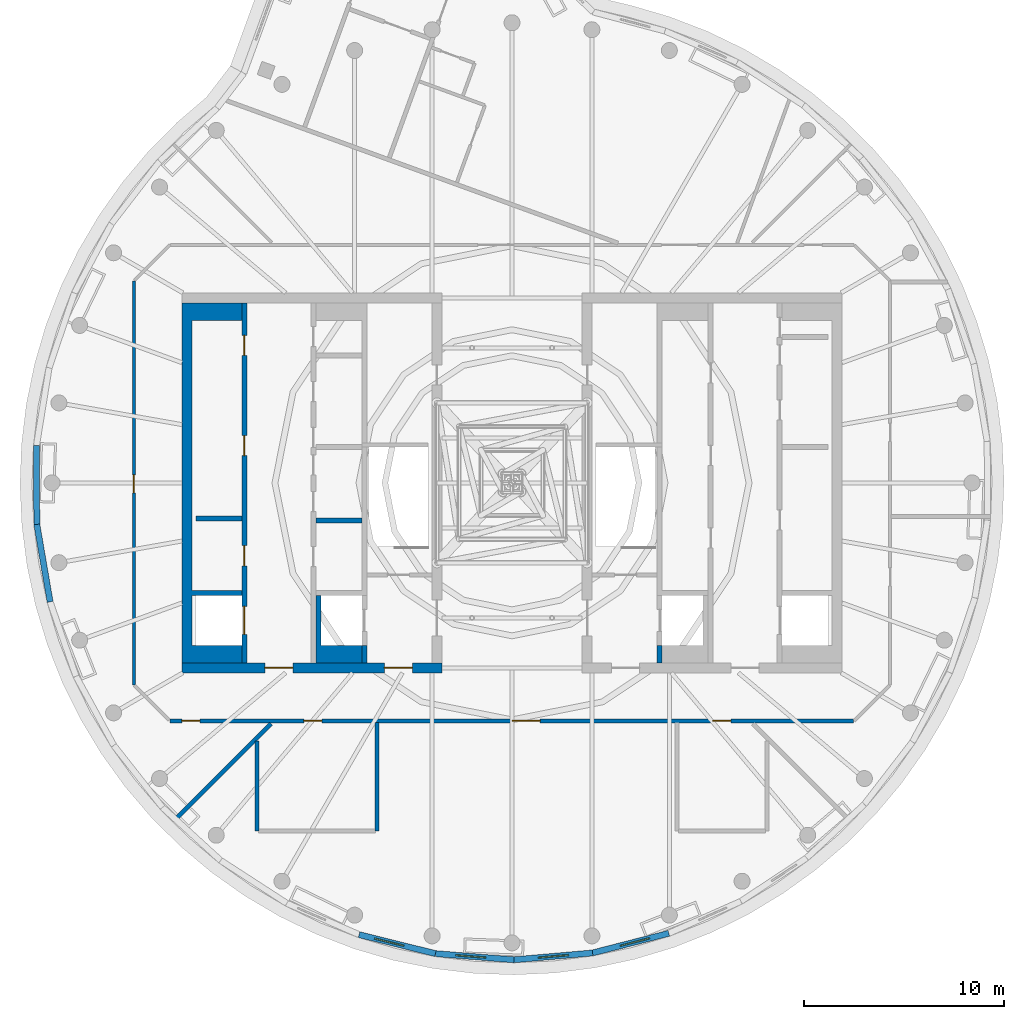
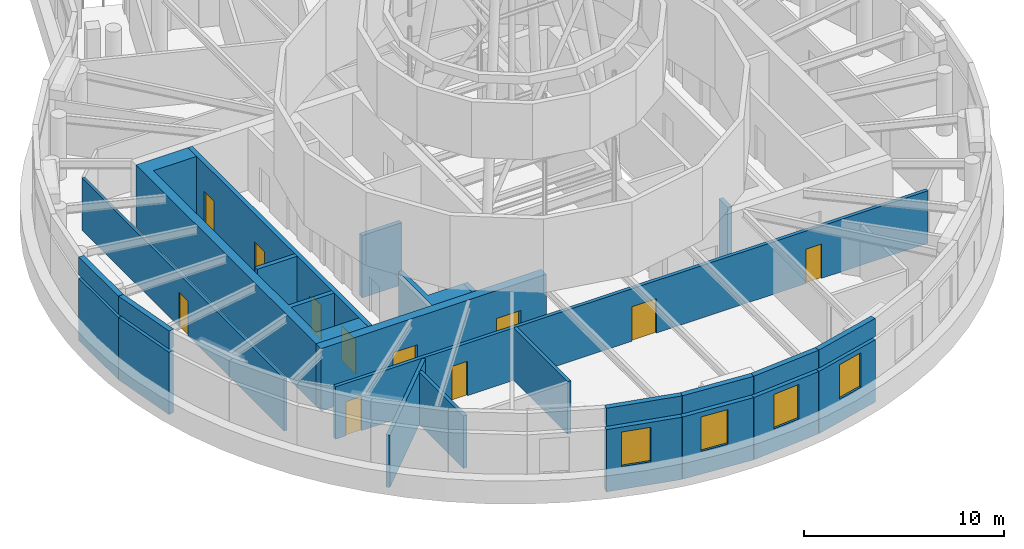
# One storey, part 11 of 17: 25 walls, 11 doors, 4 windows, 15 openings.
"""IFC4 building model written with IfcOpenShell, lengths in metres."""

from ifc_helpers import new_model, si_unit, direction, frame, frame_2d, origin, place, context, subcontext, project, spatial, polyline, rectangle, outline, extrude, material, layer, layer_set, type_object, element, fill, save


model = new_model("IFC4")

# Units and contexts
model_context = context("Model", 3, precision=1e-05, world=origin(), true_north=direction((0.0, 1.0)))
body_context = subcontext(model_context, "Body", "Model", "MODEL_VIEW")
ifc_project = project(units=[si_unit("LENGTHUNIT", "METRE"), si_unit("AREAUNIT", "SQUARE_METRE"), si_unit("VOLUMEUNIT", "CUBIC_METRE"), si_unit("PLANEANGLEUNIT", "RADIAN"), si_unit("MASSUNIT", "GRAM", prefix="KILO")], contexts=[model_context])

# Site, building, storey
site_placement = place(None, origin())
site = spatial("IfcSite", under=ifc_project, at=site_placement, CompositionType="ELEMENT")
building_placement = place(site_placement, origin())
building = spatial("IfcBuilding", under=site, at=building_placement, Name="Tamarind Cross Interchange Tower", CompositionType="ELEMENT")
storey_placement = place(building_placement, frame((0.0, 0.0, 325.39990234375)))
storey = spatial("IfcBuildingStorey", under=building, at=storey_placement, Name="L80", CompositionType="ELEMENT", Elevation=325.39990234375)

# Wall, openings, doors
ifc_material_1 = material(Name="Concrete C50", Category="concrete")
ifc_layer_1 = layer(ifc_material_1, 0.5)
ifc_layer_set_1 = layer_set([ifc_layer_1], Name="Concrete C50")
wall_type_1 = type_object("IfcWallType", Name="Core wall 500 mm Concrete C50", PredefinedType="SHEAR", material=ifc_layer_set_1)
wall_1_placement = place(storey_placement, frame((-16.5, -9.25, 0.0), z_axis=(0.0, 0.0, 1.0), x_axis=(1.0, 0.0, 0.0)))
wall_1 = element("IfcWall", 1, at=wall_1_placement, inside=storey, type_object=wall_type_1, Name="Core wall CWL-L80-W-S", PredefinedType="SHEAR", context=body_context, shape_type="SweptSolid", body=[
    extrude(rectangle(XDim=13.0, YDim=0.5, at=frame_2d((6.5, 0.0))), origin(), (0.0, 0.0, 1.0), 3.800048828125),
])
opening_1_placement = place(wall_1_placement, frame((4.14990234375, 0.0, 0.0)))
opening_1 = element("IfcOpeningElement", 2, at=opening_1_placement, cuts=wall_1, Name="Opening DCW1", PredefinedType="OPENING", context=body_context, shape_type="SweptSolid", body=[
    extrude(rectangle(XDim=1.39990234375, YDim=2.10009765625, at=frame_2d((0.699951171875, 1.050048828125))), frame((0.0, 0.260009765625, 0.0), z_axis=(0.0, -1.0, 0.0), x_axis=(1.0, 0.0, 0.0)), (0.0, 0.0, 1.0), 0.52001953125),
])
opening_2_placement = place(wall_1_placement, frame((10.125, 0.0, 0.0)))
opening_2 = element("IfcOpeningElement", 3, at=opening_2_placement, cuts=wall_1, Name="Opening DCWF", PredefinedType="OPENING", context=body_context, shape_type="SweptSolid", body=[
    extrude(rectangle(XDim=1.39990234375, YDim=2.10009765625, at=frame_2d((0.699951171875, 1.050048828125))), frame((0.0, 0.260009765625, 0.0), z_axis=(0.0, -1.0, 0.0), x_axis=(1.0, 0.0, 0.0)), (0.0, 0.0, 1.0), 0.52001953125),
])
ifc_material_2 = material(Name="Steel, fire-resisting", Category="steel")
door_type_1 = type_object("IfcDoorType", Name="Core fire door 1400 x 2100 FD90", OperationType="SINGLE_SWING_LEFT", PredefinedType="DOOR", material=ifc_material_2)
door_1_placement = place(opening_1_placement, origin())
door_1 = element("IfcDoor", 4, at=door_1_placement, inside=storey, type_object=door_type_1, Name="L80 lift lobby door", OperationType="SINGLE_SWING_LEFT", OverallHeight=2.10009765625, OverallWidth=1.39990234375, PredefinedType="DOOR", context=body_context, shape_type="SweptSolid", body=[
    extrude(rectangle(XDim=1.39990234375, YDim=2.10009765625, at=frame_2d((0.699951171875, 1.050048828125))), frame((0.0, 0.02490234375, 0.0), z_axis=(0.0, -1.0, 0.0), x_axis=(1.0, 0.0, 0.0)), (0.0, 0.0, 1.0), 0.050048828125),
])
fill(opening_1, door_1)
door_2_placement = place(opening_2_placement, origin())
door_2 = element("IfcDoor", 5, at=door_2_placement, inside=storey, type_object=door_type_1, Name="L80 firefighting lobby end door", OperationType="SINGLE_SWING_LEFT", OverallHeight=2.10009765625, OverallWidth=1.39990234375, PredefinedType="DOOR", context=body_context, shape_type="SweptSolid", body=[
    extrude(rectangle(XDim=1.39990234375, YDim=2.10009765625, at=frame_2d((0.699951171875, 1.050048828125))), frame((0.0, 0.02490234375, 0.0), z_axis=(0.0, -1.0, 0.0), x_axis=(1.0, 0.0, 0.0)), (0.0, 0.0, 1.0), 0.050048828125),
])
fill(opening_2, door_2)

# Walls
wall_2_placement = place(storey_placement, origin())
element("IfcWall", 6, at=wall_2_placement, inside=storey, type_object=wall_type_1, Name="Core wall CWL-L80-W-A", PredefinedType="SHEAR", context=body_context, shape_type="SweptSolid", body=[
    extrude(outline(polyline([(-13.5, -8.125), (-16.0, -8.125), (-16.0, -5.625), (-13.5, -5.625), (-13.5, -5.375), (-16.0, -5.375), (-16.0, 8.125), (-13.5, 8.125), (-13.5, 9.0), (-16.0, 9.0), (-16.5, 9.0), (-16.5, -9.0), (-16.0, -9.0), (-13.5, -9.0), (-13.5, -8.125)])), origin(), (0.0, 0.0, 1.0), 3.800048828125),
])
ifc_layer_2 = layer(ifc_material_1, 0.25)
ifc_layer_set_2 = layer_set([ifc_layer_2], Name="Concrete C50")
wall_type_2 = type_object("IfcWallType", Name="Core web wall 250 mm Concrete C50", PredefinedType="SHEAR", material=ifc_layer_set_2)
wall_3_placement = place(storey_placement, origin())
element("IfcWall", 7, at=wall_3_placement, inside=storey, type_object=wall_type_2, Name="Core wall CWL-L80-W-BS", PredefinedType="SHEAR", context=body_context, shape_type="SweptSolid", body=[
    extrude(outline(polyline([(-7.5, -8.125), (-9.550048828125, -8.125), (-9.550048828125, -5.625), (-9.800048828125, -5.625), (-9.800048828125, -8.125), (-9.800048828125, -9.0), (-7.5, -9.0), (-7.5, -8.125)])), origin(), (0.0, 0.0, 1.0), 3.800048828125),
])
wall_4_placement = place(storey_placement, frame((-7.375, -9.0, 0.0), z_axis=(0.0, 0.0, 1.0), x_axis=(0.0, 1.0, 0.0)))
element("IfcWall", 8, at=wall_4_placement, inside=storey, type_object=wall_type_2, Name="Core wall CWL-L80-W-BW", PredefinedType="SHEAR", context=body_context, shape_type="SweptSolid", body=[
    extrude(rectangle(XDim=0.875, YDim=0.25, at=frame_2d((0.4375, 0.0))), origin(), (0.0, 0.0, 1.0), 3.800048828125),
])

# Wall, openings, doors
wall_5_placement = place(storey_placement, frame((-13.375, -9.0, 0.0), z_axis=(0.0, 0.0, 1.0), x_axis=(0.0, 1.0, 0.0)))
wall_5 = element("IfcWall", 9, at=wall_5_placement, inside=storey, type_object=wall_type_2, Name="Core wall CWL-L80-W-LA", PredefinedType="SHEAR", context=body_context, shape_type="SweptSolid", body=[
    extrude(rectangle(XDim=18.0, YDim=0.25, at=frame_2d((9.0, 0.0))), origin(), (0.0, 0.0, 1.0), 3.800048828125),
])
opening_3_placement = place(wall_5_placement, frame((1.425048828125, 0.0, 0.0)))
opening_3 = element("IfcOpeningElement", 10, at=opening_3_placement, cuts=wall_5, Name="Opening LD1L80", PredefinedType="OPENING", context=body_context, shape_type="SweptSolid", body=[
    extrude(rectangle(XDim=1.39990234375, YDim=2.10009765625, at=frame_2d((0.699951171875, 1.050048828125))), frame((0.0, 0.135009765625, 0.0), z_axis=(0.0, -1.0, 0.0), x_axis=(1.0, 0.0, 0.0)), (0.0, 0.0, 1.0), 0.27001953125),
])
opening_4_placement = place(wall_5_placement, frame((4.85400390625, 0.0, 0.0)))
opening_4 = element("IfcOpeningElement", 11, at=opening_4_placement, cuts=wall_5, Name="Opening DCW9", PredefinedType="OPENING", context=body_context, shape_type="SweptSolid", body=[
    extrude(rectangle(XDim=1.0, YDim=2.10009765625, at=frame_2d((0.5, 1.050048828125))), frame((0.0, 0.135009765625, 0.0), z_axis=(0.0, -1.0, 0.0), x_axis=(1.0, 0.0, 0.0)), (0.0, 0.0, 1.0), 0.27001953125),
])
opening_5_placement = place(wall_5_placement, frame((10.35400390625, 0.0, 0.0)))
opening_5 = element("IfcOpeningElement", 12, at=opening_5_placement, cuts=wall_5, Name="Opening DCW10", PredefinedType="OPENING", context=body_context, shape_type="SweptSolid", body=[
    extrude(rectangle(XDim=1.0, YDim=2.10009765625, at=frame_2d((0.5, 1.050048828125))), frame((0.0, 0.135009765625, 0.0), z_axis=(0.0, -1.0, 0.0), x_axis=(1.0, 0.0, 0.0)), (0.0, 0.0, 1.0), 0.27001953125),
])
opening_6_placement = place(wall_5_placement, frame((15.375, 0.0, 0.0)))
opening_6 = element("IfcOpeningElement", 13, at=opening_6_placement, cuts=wall_5, Name="Opening DCW17", PredefinedType="OPENING", context=body_context, shape_type="SweptSolid", body=[
    extrude(rectangle(XDim=1.0, YDim=2.10009765625, at=frame_2d((0.5, 1.050048828125))), frame((0.0, 0.135009765625, 0.0), z_axis=(0.0, -1.0, 0.0), x_axis=(1.0, 0.0, 0.0)), (0.0, 0.0, 1.0), 0.27001953125),
])
door_type_2 = type_object("IfcDoorType", Name="Core fire door 1000 x 2100 FD90", OperationType="SINGLE_SWING_LEFT", PredefinedType="DOOR", material=ifc_material_2)
door_3_placement = place(opening_4_placement, origin())
door_3 = element("IfcDoor", 14, at=door_3_placement, inside=storey, type_object=door_type_2, Name="L80 Storage room door", OperationType="SINGLE_SWING_LEFT", OverallHeight=2.10009765625, OverallWidth=1.0, PredefinedType="DOOR", context=body_context, shape_type="SweptSolid", body=[
    extrude(rectangle(XDim=1.0, YDim=2.10009765625, at=frame_2d((0.5, 1.050048828125))), frame((0.0, 0.02490234375, 0.0), z_axis=(0.0, -1.0, 0.0), x_axis=(1.0, 0.0, 0.0)), (0.0, 0.0, 1.0), 0.050048828125),
])
fill(opening_4, door_3)
door_4_placement = place(opening_5_placement, origin())
door_4 = element("IfcDoor", 15, at=door_4_placement, inside=storey, type_object=door_type_2, Name="L80 Battery room door", OperationType="SINGLE_SWING_LEFT", OverallHeight=2.10009765625, OverallWidth=1.0, PredefinedType="DOOR", context=body_context, shape_type="SweptSolid", body=[
    extrude(rectangle(XDim=1.0, YDim=2.10009765625, at=frame_2d((0.5, 1.050048828125))), frame((0.0, 0.02490234375, 0.0), z_axis=(0.0, -1.0, 0.0), x_axis=(1.0, 0.0, 0.0)), (0.0, 0.0, 1.0), 0.050048828125),
])
fill(opening_5, door_4)
door_5_placement = place(opening_6_placement, origin())
door_5 = element("IfcDoor", 16, at=door_5_placement, inside=storey, type_object=door_type_2, Name="L80 Plant room door", OperationType="SINGLE_SWING_LEFT", OverallHeight=2.10009765625, OverallWidth=1.0, PredefinedType="DOOR", context=body_context, shape_type="SweptSolid", body=[
    extrude(rectangle(XDim=1.0, YDim=2.10009765625, at=frame_2d((0.5, 1.050048828125))), frame((0.0, 0.02490234375, 0.0), z_axis=(0.0, -1.0, 0.0), x_axis=(1.0, 0.0, 0.0)), (0.0, 0.0, 1.0), 0.050048828125),
])
fill(opening_6, door_5)
ifc_material_3 = material(Name="Stainless steel panel", Category="steel")
door_type_3 = type_object("IfcDoorType", Name="Lift landing door 1400 x 2100 E 120", OperationType="SLIDING_TO_LEFT", PredefinedType="DOOR", material=ifc_material_3)
door_6_placement = place(opening_3_placement, origin())
door_6 = element("IfcDoor", 17, at=door_6_placement, inside=storey, type_object=door_type_3, Name="L80 landing door LF1", OperationType="SLIDING_TO_LEFT", OverallHeight=2.10009765625, OverallWidth=1.39990234375, PredefinedType="DOOR", context=body_context, shape_type="SweptSolid", body=[
    extrude(rectangle(XDim=1.39990234375, YDim=2.10009765625, at=frame_2d((0.699951171875, 1.050048828125))), frame((0.0, 0.02490234375, 0.0), z_axis=(0.0, -1.0, 0.0), x_axis=(1.0, 0.0, 0.0)), (0.0, 0.0, 1.0), 0.050048828125),
])
fill(opening_3, door_6)

# Walls
wall_6_placement = place(storey_placement, frame((7.375, -9.0, 0.0), z_axis=(0.0, 0.0, 1.0), x_axis=(0.0, 1.0, 0.0)))
element("IfcWall", 18, at=wall_6_placement, inside=storey, type_object=wall_type_2, Name="Core wall CWL-L80-E-BW", PredefinedType="SHEAR", context=body_context, shape_type="SweptSolid", body=[
    extrude(rectangle(XDim=0.875, YDim=0.25, at=frame_2d((0.4375, 0.0))), origin(), (0.0, 0.0, 1.0), 3.800048828125),
])
ifc_material_4 = material(Name="Concrete C40", Category="concrete")
ifc_layer_3 = layer(ifc_material_4, 0.300048828125)
ifc_layer_set_3 = layer_set([ifc_layer_3], Name="Concrete C40")
wall_type_3 = type_object("IfcWallType", Name="Parapet upstand", PredefinedType="PARAPET", material=ifc_layer_set_3)
wall_7_placement = place(storey_placement, frame((-23.772705078125, 1.866943359375, 4.0), z_axis=(0.0, 0.0, 1.0), x_axis=(0.004339160737, -0.999990585798, 0.0)))
element("IfcWall", 19, at=wall_7_placement, inside=storey, type_object=wall_type_3, Name="EXW-L80-P02-06", PredefinedType="PARAPET", context=body_context, shape_type="SweptSolid", body=[
    extrude(rectangle(XDim=3.9384765625, YDim=0.300048828125, at=frame_2d((1.96923828125, 0.0))), origin(), (0.0, 0.0, 1.0), 1.10009765625),
])
wall_8_placement = place(storey_placement, frame((-23.755615234375, -2.071533203125, 4.0), z_axis=(0.0, 0.0, 1.0), x_axis=(0.168810670753, -0.985648495885, 0.0)))
element("IfcWall", 20, at=wall_8_placement, inside=storey, type_object=wall_type_3, Name="EXW-L80-P02-07", PredefinedType="PARAPET", context=body_context, shape_type="SweptSolid", body=[
    extrude(rectangle(XDim=3.93798828125, YDim=0.300048828125, at=frame_2d((1.968994140625, 0.0))), origin(), (0.0, 0.0, 1.0), 1.10009765625),
])
wall_9_placement = place(storey_placement, frame((-7.6455078125, -22.5869140625, 4.0), z_axis=(0.0, 0.0, 1.0), x_axis=(0.970440788586, -0.241339337547, 0.0)))
element("IfcWall", 21, at=wall_9_placement, inside=storey, type_object=wall_type_3, Name="EXW-L80-P02-14", PredefinedType="PARAPET", context=body_context, shape_type="SweptSolid", body=[
    extrude(rectangle(XDim=3.938232421875, YDim=0.300048828125, at=frame_2d((1.96923828125, 0.0))), origin(), (0.0, 0.0, 1.0), 1.10009765625),
])
for number, where, z_axis, x_axis, name in (
    (22, (-3.82373046875, -23.537353515625, 4.0), (0.0, 0.0, 1.0), (0.996930318741, -0.078293930641, 0.0), "EXW-L80-P02-15"),
    (23, (0.1025390625, -23.845703125, 4.0), (0.0, 0.0, 1.0), (0.99621635874, 0.08690780505, 0.0), "EXW-L80-P02-16"),
):
    element("IfcWall", number, at=place(storey_placement, frame(where, z_axis=z_axis, x_axis=x_axis)), inside=storey, type_object=wall_type_3, Name=name, PredefinedType="PARAPET", context=body_context, shape_type="SweptSolid", body=[
        extrude(rectangle(XDim=3.9384765625, YDim=0.300048828125, at=frame_2d((1.96923828125, 0.0))), origin(), (0.0, 0.0, 1.0), 1.10009765625),
    ])
wall_10_placement = place(storey_placement, frame((4.026123046875, -23.50341796875, 4.0), z_axis=(0.0, 0.0, 1.0), x_axis=(0.968336809904, 0.24964739651, 0.0)))
element("IfcWall", 24, at=wall_10_placement, inside=storey, type_object=wall_type_3, Name="EXW-L80-P02-17", PredefinedType="PARAPET", context=body_context, shape_type="SweptSolid", body=[
    extrude(rectangle(XDim=3.938232421875, YDim=0.300048828125, at=frame_2d((1.96923828125, 0.0))), origin(), (0.0, 0.0, 1.0), 1.10009765625),
])

# Wall, opening, door
ifc_material_5 = material(Name="Gypsum board partition on steel studs", Category="steel")
ifc_layer_4 = layer(ifc_material_5, 0.14990234375)
ifc_layer_set_4 = layer_set([ifc_layer_4], Name="Gypsum board partition on steel studs")
wall_type_4 = type_object("IfcWallType", Name="Partition 150 mm EI 120", PredefinedType="PARTITIONING", material=ifc_layer_set_4)
wall_11_placement = place(storey_placement, frame((-18.89990234375, -10.10009765625, 0.0), z_axis=(0.0, 0.0, 1.0), x_axis=(0.0, 1.0, 0.0)))
wall_11 = element("IfcWall", 25, at=wall_11_placement, inside=storey, type_object=wall_type_4, Name="Partition L80-031", PredefinedType="PARTITIONING", context=body_context, shape_type="SweptSolid", body=[
    extrude(rectangle(XDim=20.2001953125, YDim=0.14990234375, at=frame_2d((10.10009765625, 0.0))), origin(), (0.0, 0.0, 1.0), 3.2001953125),
])
opening_7_placement = place(wall_11_placement, frame((9.60009765625, 0.0, 0.0)))
opening_7 = element("IfcOpeningElement", 26, at=opening_7_placement, cuts=wall_11, Name="Opening D16", PredefinedType="OPENING", context=body_context, shape_type="SweptSolid", body=[
    extrude(rectangle(XDim=0.89990234375, YDim=2.10009765625, at=frame_2d((0.449951171875, 1.050048828125))), frame((0.0, 0.0849609375, 0.0), z_axis=(0.0, -1.0, 0.0), x_axis=(1.0, 0.0, 0.0)), (0.0, 0.0, 1.0), 0.169921875),
])
ifc_material_6 = material(Name="Fire-resisting door set")
door_type_4 = type_object("IfcDoorType", Name="Interior door 900 x 2100 FD60S", OperationType="SINGLE_SWING_LEFT", PredefinedType="DOOR", material=ifc_material_6)
door_7_placement = place(opening_7_placement, origin())
door_7 = element("IfcDoor", 27, at=door_7_placement, inside=storey, type_object=door_type_4, Name="Door D16", OperationType="SINGLE_SWING_RIGHT", OverallHeight=2.10009765625, OverallWidth=0.89990234375, PredefinedType="DOOR", context=body_context, shape_type="SweptSolid", body=[
    extrude(rectangle(XDim=0.89990234375, YDim=2.10009765625, at=frame_2d((0.449951171875, 1.050048828125))), frame((0.0, 0.02490234375, 0.0), z_axis=(0.0, -1.0, 0.0), x_axis=(1.0, 0.0, 0.0)), (0.0, 0.0, 1.0), 0.050048828125),
])
fill(opening_7, door_7)

# Wall, openings, doors
ifc_layer_5 = layer(ifc_material_5, 0.199951171875)
ifc_layer_set_5 = layer_set([ifc_layer_5], Name="Gypsum board partition on steel studs")
wall_type_5 = type_object("IfcWallType", Name="Partition 200 mm EI 180", PredefinedType="PARTITIONING", material=ifc_layer_set_5)
wall_12_placement = place(storey_placement, frame((-17.10009765625, -11.89990234375, 0.0), z_axis=(0.0, 0.0, 1.0), x_axis=(1.0, 0.0, 0.0)))
wall_12 = element("IfcWall", 28, at=wall_12_placement, inside=storey, type_object=wall_type_5, Name="Partition L80-012", PredefinedType="PARTITIONING", context=body_context, shape_type="SweptSolid", body=[
    extrude(rectangle(XDim=34.1650390625, YDim=0.199951171875, at=frame_2d((17.08251953125, 0.0))), origin(), (0.0, 0.0, 1.0), 3.2001953125),
])
opening_8_placement = place(wall_12_placement, frame((6.699951171875, 0.0, 0.0)))
opening_8 = element("IfcOpeningElement", 29, at=opening_8_placement, cuts=wall_12, Name="Opening D04", PredefinedType="OPENING", context=body_context, shape_type="SweptSolid", body=[
    extrude(rectangle(XDim=0.89990234375, YDim=2.10009765625, at=frame_2d((0.449951171875, 1.050048828125))), frame((0.0, 0.10986328125, 0.0), z_axis=(0.0, -1.0, 0.0), x_axis=(1.0, 0.0, 0.0)), (0.0, 0.0, 1.0), 0.219970703125),
])
opening_9_placement = place(wall_12_placement, frame((27.14111328125, 0.0, 0.0)))
opening_9 = element("IfcOpeningElement", 30, at=opening_9_placement, cuts=wall_12, Name="Opening D05", PredefinedType="OPENING", context=body_context, shape_type="SweptSolid", body=[
    extrude(rectangle(XDim=0.89990234375, YDim=2.10009765625, at=frame_2d((0.449951171875, 1.050048828125))), frame((0.0, 0.10986328125, 0.0), z_axis=(0.0, -1.0, 0.0), x_axis=(1.0, 0.0, 0.0)), (0.0, 0.0, 1.0), 0.219970703125),
])
opening_10_placement = place(wall_12_placement, frame((17.10888671875, 0.0, 0.0)))
opening_10 = element("IfcOpeningElement", 31, at=opening_10_placement, cuts=wall_12, Name="Opening D06", PredefinedType="OPENING", context=body_context, shape_type="SweptSolid", body=[
    extrude(rectangle(XDim=1.39990234375, YDim=2.10009765625, at=frame_2d((0.699951171875, 1.050048828125))), frame((0.0, 0.10986328125, 0.0), z_axis=(0.0, -1.0, 0.0), x_axis=(1.0, 0.0, 0.0)), (0.0, 0.0, 1.0), 0.219970703125),
])
opening_11_placement = place(wall_12_placement, frame((0.60009765625, 0.0, 0.0)))
opening_11 = element("IfcOpeningElement", 32, at=opening_11_placement, cuts=wall_12, Name="Opening D07", PredefinedType="OPENING", context=body_context, shape_type="SweptSolid", body=[
    extrude(rectangle(XDim=0.89990234375, YDim=2.10009765625, at=frame_2d((0.449951171875, 1.050048828125))), frame((0.0, 0.10986328125, 0.0), z_axis=(0.0, -1.0, 0.0), x_axis=(1.0, 0.0, 0.0)), (0.0, 0.0, 1.0), 0.219970703125),
])
door_type_5 = type_object("IfcDoorType", Name="Interior door 1400 x 2100 FD120S", OperationType="DOUBLE_DOOR_SINGLE_SWING", PredefinedType="DOOR", material=ifc_material_6)
door_8_placement = place(opening_10_placement, frame((1.39990234375, 0.0, 0.0), z_axis=(0.0, 0.0, 1.0), x_axis=(-1.0, 0.0, 0.0)))
door_8 = element("IfcDoor", 33, at=door_8_placement, inside=storey, type_object=door_type_5, Name="Door D06", OperationType="DOUBLE_DOOR_SINGLE_SWING", OverallHeight=2.10009765625, OverallWidth=1.39990234375, PredefinedType="DOOR", context=body_context, shape_type="SweptSolid", body=[
    extrude(rectangle(XDim=1.39990234375, YDim=2.10009765625, at=frame_2d((0.699951171875, 1.050048828125))), frame((0.0, 0.02490234375, 0.0), z_axis=(0.0, -1.0, 0.0), x_axis=(1.0, 0.0, 0.0)), (0.0, 0.0, 1.0), 0.050048828125),
])
fill(opening_10, door_8)
door_type_6 = type_object("IfcDoorType", Name="Interior door 900 x 2100 FD120S", OperationType="SINGLE_SWING_LEFT", PredefinedType="DOOR", material=ifc_material_6)
door_9_placement = place(opening_8_placement, frame((0.89990234375, 0.0, 0.0), z_axis=(0.0, 0.0, 1.0), x_axis=(-1.0, 0.0, 0.0)))
door_9 = element("IfcDoor", 34, at=door_9_placement, inside=storey, type_object=door_type_6, Name="Door D04", OperationType="SINGLE_SWING_LEFT", OverallHeight=2.10009765625, OverallWidth=0.89990234375, PredefinedType="DOOR", context=body_context, shape_type="SweptSolid", body=[
    extrude(rectangle(XDim=0.89990234375, YDim=2.10009765625, at=frame_2d((0.449951171875, 1.050048828125))), frame((0.0, 0.02490234375, 0.0), z_axis=(0.0, -1.0, 0.0), x_axis=(1.0, 0.0, 0.0)), (0.0, 0.0, 1.0), 0.050048828125),
])
fill(opening_8, door_9)
door_10_placement = place(opening_9_placement, frame((0.89990234375, 0.0, 0.0), z_axis=(0.0, 0.0, 1.0), x_axis=(-1.0, 0.0, 0.0)))
door_10 = element("IfcDoor", 35, at=door_10_placement, inside=storey, type_object=door_type_6, Name="Door D05", OperationType="SINGLE_SWING_RIGHT", OverallHeight=2.10009765625, OverallWidth=0.89990234375, PredefinedType="DOOR", context=body_context, shape_type="SweptSolid", body=[
    extrude(rectangle(XDim=0.89990234375, YDim=2.10009765625, at=frame_2d((0.449951171875, 1.050048828125))), frame((0.0, 0.02490234375, 0.0), z_axis=(0.0, -1.0, 0.0), x_axis=(1.0, 0.0, 0.0)), (0.0, 0.0, 1.0), 0.050048828125),
])
fill(opening_9, door_10)
door_11_placement = place(opening_11_placement, frame((0.89990234375, 0.0, 0.0), z_axis=(0.0, 0.0, 1.0), x_axis=(-1.0, 0.0, 0.0)))
door_11 = element("IfcDoor", 36, at=door_11_placement, inside=storey, type_object=door_type_6, Name="Door D07", OperationType="SINGLE_SWING_LEFT", OverallHeight=2.10009765625, OverallWidth=0.89990234375, PredefinedType="DOOR", context=body_context, shape_type="SweptSolid", body=[
    extrude(rectangle(XDim=0.89990234375, YDim=2.10009765625, at=frame_2d((0.449951171875, 1.050048828125))), frame((0.0, 0.02490234375, 0.0), z_axis=(0.0, -1.0, 0.0), x_axis=(1.0, 0.0, 0.0)), (0.0, 0.0, 1.0), 0.050048828125),
])
fill(opening_11, door_11)

# Walls
wall_13_placement = place(storey_placement, frame((-16.927001953125, -16.927001953125, 0.0), z_axis=(0.0, 0.0, 1.0), x_axis=(0.707106781187, 0.707106781187, 0.0)))
element("IfcWall", 37, at=wall_13_placement, inside=storey, type_object=wall_type_5, Name="Partition L80-019", PredefinedType="PARTITIONING", context=body_context, shape_type="SweptSolid", body=[
    extrude(rectangle(XDim=6.894287109375, YDim=0.199951171875, at=frame_2d((3.447265625, 0.0))), origin(), (0.0, 0.0, 1.0), 3.2001953125),
])
wall_14_placement = place(storey_placement, frame((-12.740966796875, -17.39990234375, 0.0), z_axis=(0.0, 0.0, 1.0), x_axis=(0.0, 1.0, 0.0)))
element("IfcWall", 38, at=wall_14_placement, inside=storey, type_object=wall_type_5, Name="Partition L80-032", PredefinedType="PARTITIONING", context=body_context, shape_type="SweptSolid", body=[
    extrude(rectangle(XDim=4.4990234375, YDim=0.199951171875, at=frame_2d((2.24951171875, 0.0))), origin(), (0.0, 0.0, 1.0), 3.2001953125),
])
wall_15_placement = place(storey_placement, frame((-6.740966796875, -17.39990234375, 0.0), z_axis=(0.0, 0.0, 1.0), x_axis=(0.0, 1.0, 0.0)))
element("IfcWall", 39, at=wall_15_placement, inside=storey, type_object=wall_type_5, Name="Partition L80-033", PredefinedType="PARTITIONING", context=body_context, shape_type="SweptSolid", body=[
    extrude(rectangle(XDim=5.419921875, YDim=0.199951171875, at=frame_2d((2.7099609375, 0.0))), origin(), (0.0, 0.0, 1.0), 3.2001953125),
])
ifc_material_7 = material(Name="Precast concrete C40", Category="concrete")
ifc_layer_6 = layer(ifc_material_7, 0.300048828125)
ifc_layer_set_6 = layer_set([ifc_layer_6], Name="Precast concrete C40")
wall_type_6 = type_object("IfcWallType", Name="Plant louvre wall", PredefinedType="SOLIDWALL", material=ifc_layer_set_6)
wall_16_placement = place(storey_placement, frame((-23.772705078125, 1.866943359375, 0.0), z_axis=(0.0, 0.0, 1.0), x_axis=(0.004339160737, -0.999990585798, 0.0)))
element("IfcWall", 40, at=wall_16_placement, inside=storey, type_object=wall_type_6, Name="EXW-L80-02-06", PredefinedType="SOLIDWALL", context=body_context, shape_type="SweptSolid", body=[
    extrude(rectangle(XDim=3.9384765625, YDim=0.300048828125, at=frame_2d((1.96923828125, 0.0))), origin(), (0.0, 0.0, 1.0), 3.800048828125),
])
wall_17_placement = place(storey_placement, frame((-23.755615234375, -2.071533203125, 0.0), z_axis=(0.0, 0.0, 1.0), x_axis=(0.168810670753, -0.985648495885, 0.0)))
element("IfcWall", 41, at=wall_17_placement, inside=storey, type_object=wall_type_6, Name="EXW-L80-02-07", PredefinedType="SOLIDWALL", context=body_context, shape_type="SweptSolid", body=[
    extrude(rectangle(XDim=3.93798828125, YDim=0.300048828125, at=frame_2d((1.968994140625, 0.0))), origin(), (0.0, 0.0, 1.0), 3.800048828125),
])

# Wall, opening, window
wall_18_placement = place(storey_placement, frame((-7.6455078125, -22.5869140625, 0.0), z_axis=(0.0, 0.0, 1.0), x_axis=(0.970440788586, -0.241339337547, 0.0)))
wall_18 = element("IfcWall", 42, at=wall_18_placement, inside=storey, type_object=wall_type_6, Name="EXW-L80-02-14", PredefinedType="SOLIDWALL", context=body_context, shape_type="SweptSolid", body=[
    extrude(rectangle(XDim=3.938232421875, YDim=0.300048828125, at=frame_2d((1.96923828125, 0.0))), origin(), (0.0, 0.0, 1.0), 3.800048828125),
])
opening_12_placement = place(wall_18_placement, frame((0.800537109375, 0.0, 1.39990234375)))
opening_12 = element("IfcOpeningElement", 43, at=opening_12_placement, cuts=wall_18, Name="Opening W2", PredefinedType="OPENING", context=body_context, shape_type="SweptSolid", body=[
    extrude(rectangle(XDim=1.508544921875, YDim=2.10009765625, at=frame_2d((0.75439453125, 1.050048828125))), frame((0.0, 0.159912109375, 0.0), z_axis=(0.0, -1.0, 0.0), x_axis=(1.0, 0.0, 0.0)), (0.0, 0.0, 1.0), 0.320068359375),
])
ifc_material_8 = material(Name="Aluminium louvre", Category="aluminium")
window_type = type_object("IfcWindowType", Name="Plant louvre bank", PartitioningType="SINGLE_PANEL", PredefinedType="WINDOW", material=ifc_material_8)
window_1_placement = place(opening_12_placement, origin())
window_1 = element("IfcWindow", 44, at=window_1_placement, inside=storey, type_object=window_type, Name="WIN-L80-02-14", OverallHeight=2.10009765625, OverallWidth=1.508544921875, PartitioningType="SINGLE_PANEL", PredefinedType="WINDOW", context=body_context, shape_type="SweptSolid", body=[
    extrude(rectangle(XDim=1.508544921875, YDim=2.10009765625, at=frame_2d((0.75439453125, 1.050048828125))), frame((0.0, 0.030029296875, 0.0), z_axis=(0.0, -1.0, 0.0), x_axis=(1.0, 0.0, 0.0)), (0.0, 0.0, 1.0), 0.06005859375),
])
fill(opening_12, window_1)

wall_19_placement = place(storey_placement, frame((-3.82373046875, -23.537353515625, 0.0), z_axis=(0.0, 0.0, 1.0), x_axis=(0.996930318741, -0.078293930641, 0.0)))
wall_19 = element("IfcWall", 45, at=wall_19_placement, inside=storey, type_object=wall_type_6, Name="EXW-L80-02-15", PredefinedType="SOLIDWALL", context=body_context, shape_type="SweptSolid", body=[
    extrude(rectangle(XDim=3.9384765625, YDim=0.300048828125, at=frame_2d((1.96923828125, 0.0))), origin(), (0.0, 0.0, 1.0), 3.800048828125),
])
opening_13_placement = place(wall_19_placement, frame((1.0107421875, 0.0, 1.39990234375)))
opening_13 = element("IfcOpeningElement", 46, at=opening_13_placement, cuts=wall_19, Name="Opening W2", PredefinedType="OPENING", context=body_context, shape_type="SweptSolid", body=[
    extrude(rectangle(XDim=1.509033203125, YDim=2.10009765625, at=frame_2d((0.75439453125, 1.050048828125))), frame((0.0, 0.159912109375, 0.0), z_axis=(0.0, -1.0, 0.0), x_axis=(1.0, 0.0, 0.0)), (0.0, 0.0, 1.0), 0.320068359375),
])
window_2_placement = place(opening_13_placement, origin())
window_2 = element("IfcWindow", 47, at=window_2_placement, inside=storey, type_object=window_type, Name="WIN-L80-02-15", OverallHeight=2.10009765625, OverallWidth=1.509033203125, PartitioningType="SINGLE_PANEL", PredefinedType="WINDOW", context=body_context, shape_type="SweptSolid", body=[
    extrude(rectangle(XDim=1.509033203125, YDim=2.10009765625, at=frame_2d((0.75439453125, 1.050048828125))), frame((0.0, 0.030029296875, 0.0), z_axis=(0.0, -1.0, 0.0), x_axis=(1.0, 0.0, 0.0)), (0.0, 0.0, 1.0), 0.06005859375),
])
fill(opening_13, window_2)

wall_20_placement = place(storey_placement, frame((0.1025390625, -23.845703125, 0.0), z_axis=(0.0, 0.0, 1.0), x_axis=(0.99621635874, 0.08690780505, 0.0)))
wall_20 = element("IfcWall", 48, at=wall_20_placement, inside=storey, type_object=wall_type_6, Name="EXW-L80-02-16", PredefinedType="SOLIDWALL", context=body_context, shape_type="SweptSolid", body=[
    extrude(rectangle(XDim=3.9384765625, YDim=0.300048828125, at=frame_2d((1.96923828125, 0.0))), origin(), (0.0, 0.0, 1.0), 3.800048828125),
])
opening_14_placement = place(wall_20_placement, frame((1.22119140625, 0.0, 1.39990234375)))
opening_14 = element("IfcOpeningElement", 49, at=opening_14_placement, cuts=wall_20, Name="Opening W2", PredefinedType="OPENING", context=body_context, shape_type="SweptSolid", body=[
    extrude(rectangle(XDim=1.50927734375, YDim=2.10009765625, at=frame_2d((0.754638671875, 1.050048828125))), frame((0.0, 0.159912109375, 0.0), z_axis=(0.0, -1.0, 0.0), x_axis=(1.0, 0.0, 0.0)), (0.0, 0.0, 1.0), 0.320068359375),
])
window_3_placement = place(opening_14_placement, origin())
window_3 = element("IfcWindow", 50, at=window_3_placement, inside=storey, type_object=window_type, Name="WIN-L80-02-16", OverallHeight=2.10009765625, OverallWidth=1.50927734375, PartitioningType="SINGLE_PANEL", PredefinedType="WINDOW", context=body_context, shape_type="SweptSolid", body=[
    extrude(rectangle(XDim=1.50927734375, YDim=2.10009765625, at=frame_2d((0.754638671875, 1.050048828125))), frame((0.0, 0.030029296875, 0.0), z_axis=(0.0, -1.0, 0.0), x_axis=(1.0, 0.0, 0.0)), (0.0, 0.0, 1.0), 0.06005859375),
])
fill(opening_14, window_3)

wall_21_placement = place(storey_placement, frame((4.026123046875, -23.50341796875, 0.0), z_axis=(0.0, 0.0, 1.0), x_axis=(0.968336809904, 0.24964739651, 0.0)))
wall_21 = element("IfcWall", 51, at=wall_21_placement, inside=storey, type_object=wall_type_6, Name="EXW-L80-02-17", PredefinedType="SOLIDWALL", context=body_context, shape_type="SweptSolid", body=[
    extrude(rectangle(XDim=3.938232421875, YDim=0.300048828125, at=frame_2d((1.96923828125, 0.0))), origin(), (0.0, 0.0, 1.0), 3.800048828125),
])
opening_15_placement = place(wall_21_placement, frame((1.431884765625, 0.0, 1.39990234375)))
opening_15 = element("IfcOpeningElement", 52, at=opening_15_placement, cuts=wall_21, Name="Opening W2", PredefinedType="OPENING", context=body_context, shape_type="SweptSolid", body=[
    extrude(rectangle(XDim=1.509033203125, YDim=2.10009765625, at=frame_2d((0.75439453125, 1.050048828125))), frame((0.0, 0.159912109375, 0.0), z_axis=(0.0, -1.0, 0.0), x_axis=(1.0, 0.0, 0.0)), (0.0, 0.0, 1.0), 0.320068359375),
])
window_4_placement = place(opening_15_placement, origin())
window_4 = element("IfcWindow", 53, at=window_4_placement, inside=storey, type_object=window_type, Name="WIN-L80-02-17", OverallHeight=2.10009765625, OverallWidth=1.509033203125, PartitioningType="SINGLE_PANEL", PredefinedType="WINDOW", context=body_context, shape_type="SweptSolid", body=[
    extrude(rectangle(XDim=1.509033203125, YDim=2.10009765625, at=frame_2d((0.75439453125, 1.050048828125))), frame((0.0, 0.030029296875, 0.0), z_axis=(0.0, -1.0, 0.0), x_axis=(1.0, 0.0, 0.0)), (0.0, 0.0, 1.0), 0.06005859375),
])
fill(opening_15, window_4)

# Walls
ifc_layer_7 = layer(ifc_material_4, 0.25)
ifc_layer_set_7 = layer_set([ifc_layer_7], Name="Concrete C40")
wall_type_7 = type_object("IfcWallType", Name="Shaft and lobby wall 250 mm Concrete C40", PredefinedType="PARTITIONING", material=ifc_layer_set_7)
for number, where, z_axis, x_axis, name in (
    (54, (-15.800048828125, -1.7919921875, 0.0), (0.0, 0.0, 1.0), (1.0, 0.0, 0.0), "Shaft wall CWL-L80-W-FPA1"),
    (55, (-9.800048828125, -1.875, 0.0), (0.0, 0.0, 1.0), (1.0, 0.0, 0.0), "Shaft wall CWL-L80-W-FPB1"),
):
    element("IfcWall", number, at=place(storey_placement, frame(where, z_axis=z_axis, x_axis=x_axis)), inside=storey, type_object=wall_type_7, Name=name, PredefinedType="PARTITIONING", context=body_context, shape_type="SweptSolid", body=[
        extrude(rectangle(XDim=2.300048828125, YDim=0.25, at=frame_2d((1.14990234375, 0.0))), origin(), (0.0, 0.0, 1.0), 3.800048828125),
    ])

save(model, "model.ifc")
